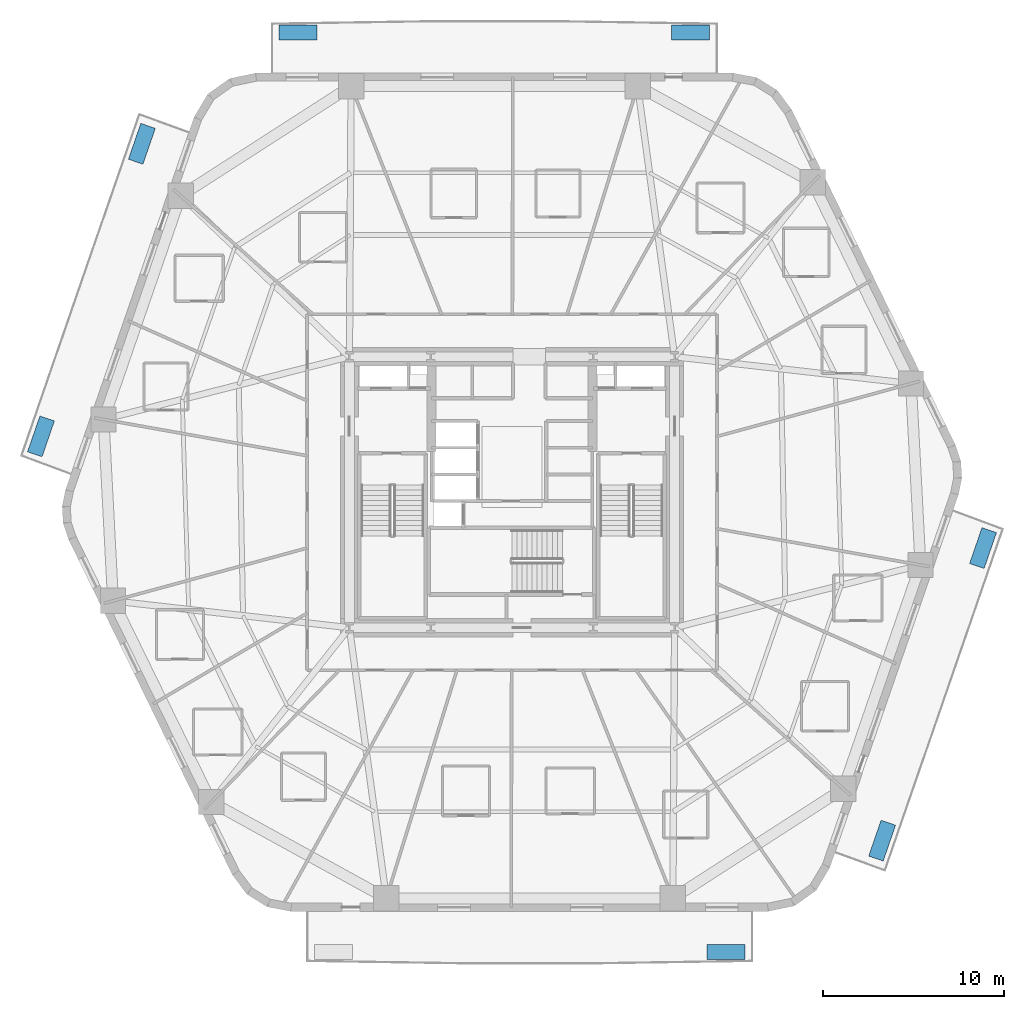
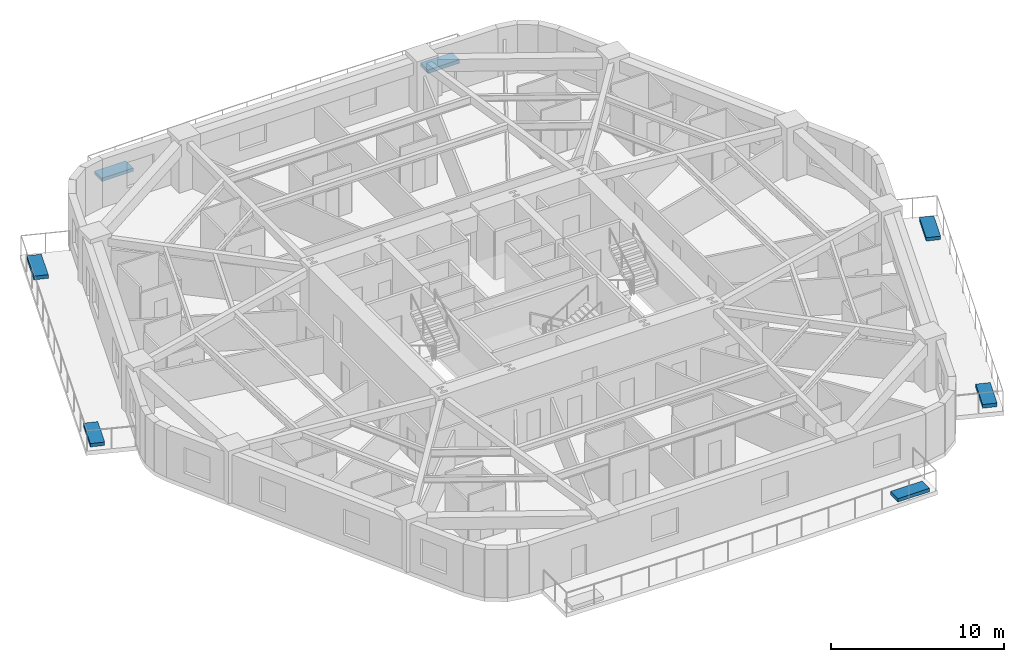
# One storey, part 8 of 11: 7 discrete accessories.
"""IFC4 building model written with IfcOpenShell, lengths in metres."""

from ifc_helpers import new_model, si_unit, direction, frame, origin, origin_2d, place, context, subcontext, project, spatial, rectangle, extrude, material, type_object, element, save


model = new_model("IFC4")

# Units and contexts
model_context = context("Model", 3, precision=1e-05, world=origin(), true_north=direction((0.0, 1.0)))
body_context = subcontext(model_context, "Body", "Model", "MODEL_VIEW")
ifc_project = project(units=[si_unit("LENGTHUNIT", "METRE"), si_unit("AREAUNIT", "SQUARE_METRE"), si_unit("VOLUMEUNIT", "CUBIC_METRE"), si_unit("PLANEANGLEUNIT", "RADIAN"), si_unit("MASSUNIT", "GRAM", prefix="KILO")], contexts=[model_context])

# Site, building, storey
site_placement = place(None, origin())
site = spatial("IfcSite", under=ifc_project, at=site_placement, CompositionType="ELEMENT")
building_placement = place(site_placement, origin())
building = spatial("IfcBuilding", under=site, at=building_placement, Name="Kilnhurst Terrace Hotel", CompositionType="ELEMENT")
storey_placement = place(building_placement, frame((0.0, 0.0, 37.89990234375)))
storey = spatial("IfcBuildingStorey", under=building, at=storey_placement, Name="L07", CompositionType="ELEMENT", Elevation=37.89990234375)

# Discrete accessories
ifc_material_1 = material(Name="Precast Concrete C40/50 Shrub Planter", Category="concrete")
discrete_accessory_type_1 = type_object("IfcDiscreteAccessoryType", Name="PLN-SHRUB-240", PredefinedType="USERDEFINED", material=ifc_material_1)
for number, where, z_axis, x_axis, name in (
    (1, (11.841552734375, -25.449951171875, 0.0), (0.0, 0.0, 1.0), (1.0, 0.0, 0.0), "L07 Structural Tree Planter Box PLANTER BAL-L1A.2"),
    (2, (26.073486328125, -3.09130859375, 0.0), (0.0, 0.0, 1.0), (0.326063182175, 0.94534797891, 0.0), "L07 Structural Tree Planter Box PLANTER BAL-L1B.2"),
    (3, (-11.841552734375, 25.449951171875, 0.0), (0.0, 0.0, 1.0), (-1.0, 0.0, 0.0), "L07 Structural Tree Planter Box PLANTER BAL-L2A.2"),
    (4, (-26.073486328125, 3.09130859375, 0.0), (0.0, 0.0, 1.0), (-0.326063182175, -0.94534797891, 0.0), "L07 Structural Tree Planter Box PLANTER BAL-L2B.2"),
):
    element("IfcDiscreteAccessory", number, at=place(storey_placement, frame(where, z_axis=z_axis, x_axis=x_axis)), inside=storey, type_object=discrete_accessory_type_1, Name=name, ObjectType="PLANTER", PredefinedType="USERDEFINED", context=body_context, shape_type="SweptSolid", body=[
        extrude(rectangle(XDim=2.10009765625, YDim=0.85009765625, at=origin_2d()), origin(), (0.0, 0.0, 1.0), 0.239990234375),
    ])
ifc_material_2 = material(Name="Precast Concrete C40/50 Tree Planter", Category="concrete")
discrete_accessory_type_2 = type_object("IfcDiscreteAccessoryType", Name="PLN-TREE-260", PredefinedType="USERDEFINED", material=ifc_material_2)
for number, where, z_axis, x_axis, name in (
    (5, (20.488037109375, -19.285888671875, 0.0), (0.0, 0.0, 1.0), (0.326063182175, 0.94534797891, 0.0), "L07 Structural Tree Planter Box PLANTER BAL-L1B.1"),
    (6, (9.89208984375, 25.449951171875, 0.0), (0.0, 0.0, 1.0), (-1.0, 0.0, 0.0), "L07 Structural Tree Planter Box PLANTER BAL-L2A.1"),
    (7, (-20.488037109375, 19.285888671875, 0.0), (0.0, 0.0, 1.0), (-0.326063182175, -0.94534797891, 0.0), "L07 Structural Tree Planter Box PLANTER BAL-L2B.1"),
):
    element("IfcDiscreteAccessory", number, at=place(storey_placement, frame(where, z_axis=z_axis, x_axis=x_axis)), inside=storey, type_object=discrete_accessory_type_2, Name=name, ObjectType="PLANTER", PredefinedType="USERDEFINED", context=body_context, shape_type="SweptSolid", body=[
        extrude(rectangle(XDim=2.10009765625, YDim=0.85009765625, at=origin_2d()), origin(), (0.0, 0.0, 1.0), 0.260009765625),
    ])

save(model, "model.ifc")
